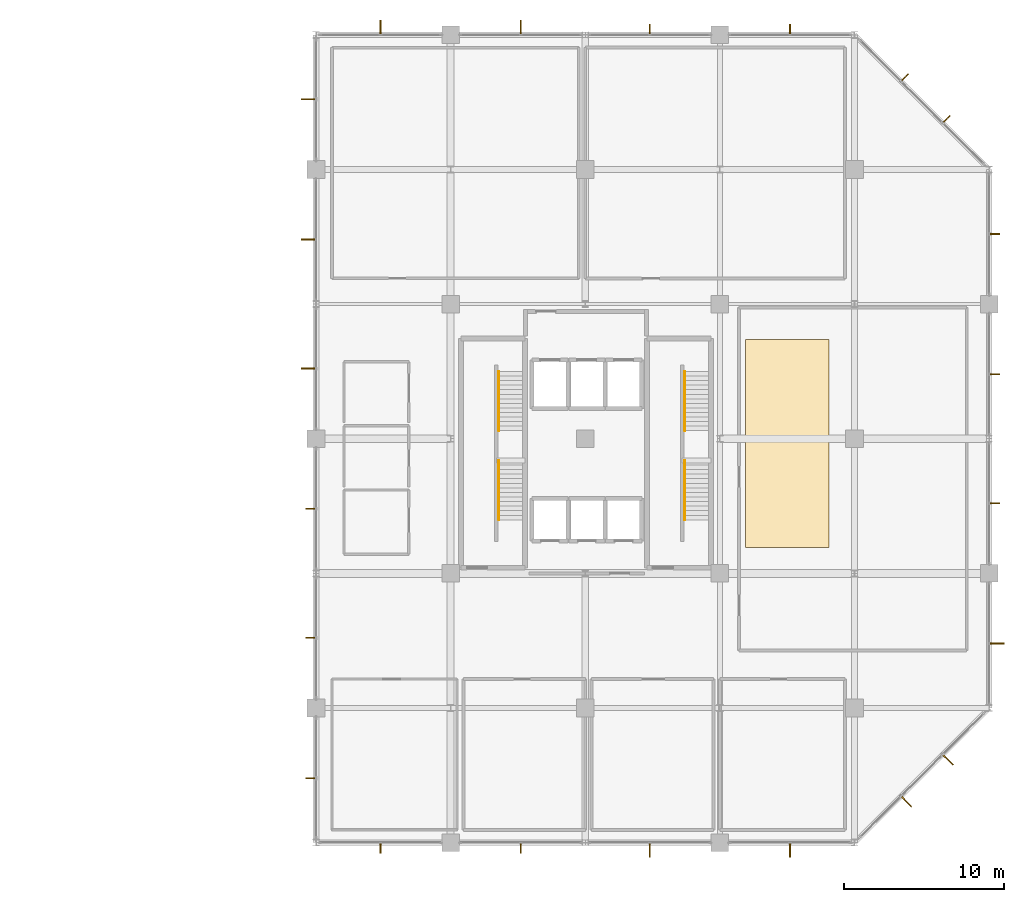
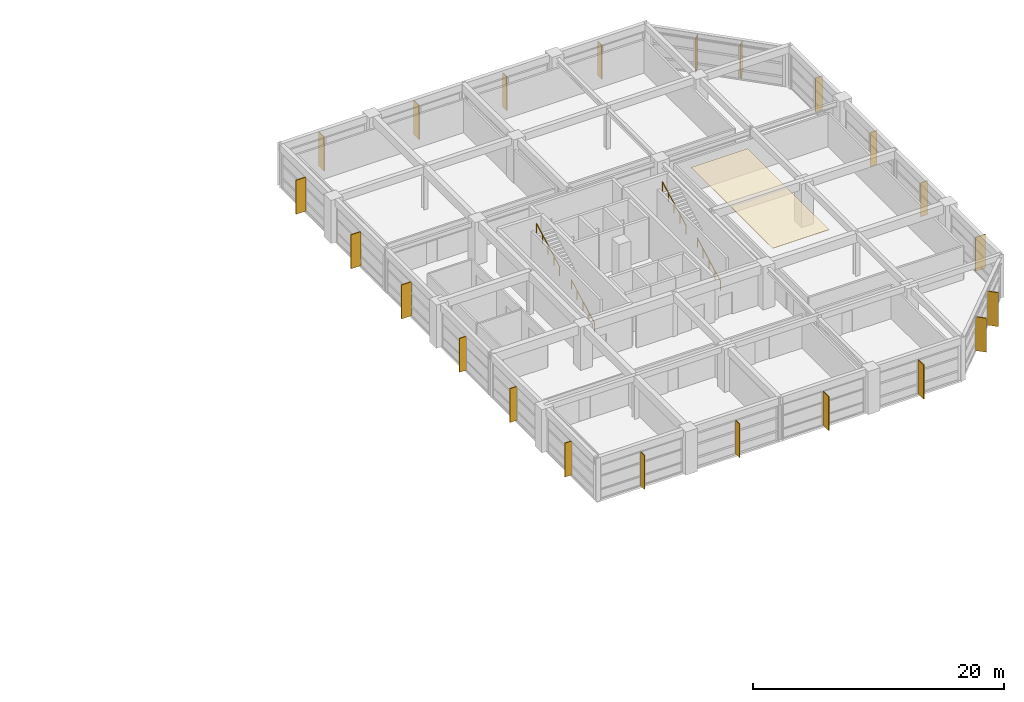
# One storey, part 19 of 19: 22 shading devices, 4 railings, 1 covering.
"""IFC4 building model written with IfcOpenShell, lengths in metres."""

from ifc_helpers import new_model, si_unit, direction, frame, origin, origin_2d, place, context, subcontext, project, spatial, polyline, rectangle, circle, outline, extrude, material, layer, layer_set, type_object, element, save


model = new_model("IFC4")

# Units and contexts
model_context = context("Model", 3, precision=1e-05, world=origin(), true_north=direction((0.0, 1.0)))
body_context = subcontext(model_context, "Body", "Model", "MODEL_VIEW")
ifc_project = project(units=[si_unit("LENGTHUNIT", "METRE"), si_unit("AREAUNIT", "SQUARE_METRE"), si_unit("VOLUMEUNIT", "CUBIC_METRE"), si_unit("PLANEANGLEUNIT", "RADIAN"), si_unit("MASSUNIT", "GRAM", prefix="KILO")], contexts=[model_context])

# Site, building, storey
site_placement = place(None, origin())
site = spatial("IfcSite", under=ifc_project, at=site_placement, CompositionType="ELEMENT")
building_placement = place(site_placement, origin())
building = spatial("IfcBuilding", under=site, at=building_placement, Name="Xuanlan Plaza Opera House", CompositionType="ELEMENT")
storey_placement = place(building_placement, frame((0.0, 0.0, 36.300048828125)))
storey = spatial("IfcBuildingStorey", under=building, at=storey_placement, Name="L08", CompositionType="ELEMENT", Elevation=36.300048828125)

# Shading devices
ifc_material_1 = material(Name="Anodised Aluminium 6063-T6", Category="aluminium")
shading_device_type_1 = type_object("IfcShadingDeviceType", Name="ENV-SHD-BRS01", PredefinedType="JALOUSIE", material=ifc_material_1)
for number, where, z_axis, x_axis, name in (
    (1, (130.02490234375, 33.27490234375, 0.0400390625), (0.0, 0.0, 1.0), (0.0, -1.0, 0.0), "Parametric Sunshade Fin L08-0321"),
    (2, (138.77490234375, 33.27490234375, 0.0400390625), (0.0, 0.0, 1.0), (0.0, -1.0, 0.0), "Parametric Sunshade Fin L08-0322"),
    (3, (168.324951171875, 54.77490234375, 0.0400390625), (0.0, 0.0, 1.0), (1.0, 0.0, 0.0), "Parametric Sunshade Fin L08-0328"),
    (4, (168.324951171875, 62.824951171875, 0.0400390625), (0.0, 0.0, 1.0), (1.0, 0.0, 0.0), "Parametric Sunshade Fin L08-0329"),
    (5, (168.324951171875, 71.574951171875, 0.0400390625), (0.0, 0.0, 1.0), (1.0, 0.0, 0.0), "Parametric Sunshade Fin L08-0330"),
    (6, (165.330078125, 78.7294921875, 0.0400390625), (0.0, 0.0, 1.0), (0.707106781187, 0.707106781187, 0.0), "Parametric Sunshade Fin L08-0331"),
    (7, (162.7294921875, 81.330078125, 0.0400390625), (0.0, 0.0, 1.0), (0.707106781187, 0.707106781187, 0.0), "Parametric Sunshade Fin L08-0332"),
    (8, (155.574951171875, 84.324951171875, 0.0400390625), (0.0, 0.0, 1.0), (0.0, 1.0, 0.0), "Parametric Sunshade Fin L08-0333"),
    (9, (146.824951171875, 84.324951171875, 0.0400390625), (0.0, 0.0, 1.0), (0.0, 1.0, 0.0), "Parametric Sunshade Fin L08-0334"),
    (10, (125.675048828125, 54.425048828125, 0.0400390625), (0.0, 0.0, 1.0), (-1.0, 0.0, 0.0), "Parametric Sunshade Fin L08-0340"),
    (11, (125.675048828125, 46.375, 0.0400390625), (0.0, 0.0, 1.0), (-1.0, 0.0, 0.0), "Parametric Sunshade Fin L08-0341"),
    (12, (125.675048828125, 37.625, 0.0400390625), (0.0, 0.0, 1.0), (-1.0, 0.0, 0.0), "Parametric Sunshade Fin L08-0342"),
):
    element("IfcShadingDevice", number, at=place(storey_placement, frame(where, z_axis=z_axis, x_axis=x_axis)), inside=storey, type_object=shading_device_type_1, Name=name, PredefinedType="JALOUSIE", context=body_context, shape_type="SweptSolid", body=[
        extrude(rectangle(XDim=0.639892578125, YDim=0.070068359375, at=origin_2d()), origin(), (0.0, 0.0, 1.0), 3.300048828125),
    ])
shading_device_type_2 = type_object("IfcShadingDeviceType", Name="ENV-SHD-BRS02", PredefinedType="JALOUSIE", material=ifc_material_1)
for number, where, z_axis, x_axis, name in (
    (13, (146.824951171875, 33.135009765625, 0.0400390625), (0.0, 0.0, 1.0), (0.0, -1.0, 0.0), "Parametric Sunshade Fin L08-0323"),
    (14, (155.574951171875, 33.135009765625, 0.0400390625), (0.0, 0.0, 1.0), (0.0, -1.0, 0.0), "Parametric Sunshade Fin L08-0324"),
    (15, (162.82861328125, 36.1708984375, 0.0400390625), (0.0, 0.0, 1.0), (0.707106781187, -0.707106781187, 0.0), "Parametric Sunshade Fin L08-0325"),
    (16, (165.42919921875, 38.771484375, 0.0400390625), (0.0, 0.0, 1.0), (0.707106781187, -0.707106781187, 0.0), "Parametric Sunshade Fin L08-0326"),
    (17, (168.465087890625, 46.02490234375, 0.0400390625), (0.0, 0.0, 1.0), (1.0, 0.0, 0.0), "Parametric Sunshade Fin L08-0327"),
    (18, (138.77490234375, 84.465087890625, 0.0400390625), (0.0, 0.0, 1.0), (0.0, 1.0, 0.0), "Parametric Sunshade Fin L08-0335"),
    (19, (130.02490234375, 84.465087890625, 0.0400390625), (0.0, 0.0, 1.0), (0.0, 1.0, 0.0), "Parametric Sunshade Fin L08-0336"),
    (20, (125.534912109375, 79.97509765625, 0.0400390625), (0.0, 0.0, 1.0), (-1.0, 0.0, 0.0), "Parametric Sunshade Fin L08-0337"),
    (21, (125.534912109375, 71.22509765625, 0.0400390625), (0.0, 0.0, 1.0), (-1.0, 0.0, 0.0), "Parametric Sunshade Fin L08-0338"),
    (22, (125.534912109375, 63.175048828125, 0.0400390625), (0.0, 0.0, 1.0), (-1.0, 0.0, 0.0), "Parametric Sunshade Fin L08-0339"),
):
    element("IfcShadingDevice", number, at=place(storey_placement, frame(where, z_axis=z_axis, x_axis=x_axis)), inside=storey, type_object=shading_device_type_2, Name=name, PredefinedType="JALOUSIE", context=body_context, shape_type="SweptSolid", body=[
        extrude(rectangle(XDim=0.919921875, YDim=0.080078125, at=origin_2d()), origin(), (0.0, 0.0, 1.0), 3.300048828125),
    ])

# Covering
ifc_layer = layer(ifc_material_1, 0.034912109375)
ifc_layer_set = layer_set([ifc_layer], Name="Anodised Aluminium 6063-T6")
covering_type = type_object("IfcCoveringType", Name="INT-COV-CLG-02", PredefinedType="CEILING", material=ifc_layer_set)
covering_placement = place(storey_placement, frame((0.0, 0.0, 3.925048828125)))
element("IfcCovering", 23, at=covering_placement, inside=storey, type_object=covering_type, Name="Acoustic Baffle Ceiling L08", PredefinedType="CEILING", context=body_context, shape_type="SweptSolid", body=[
    extrude(outline(polyline([(152.800048828125, 52.0), (158.0, 52.0), (158.0, 65.0), (152.800048828125, 65.0), (152.800048828125, 52.0)])), origin(), (0.0, 0.0, 1.0), 0.034912109375),
])

# Railings
ifc_material_2 = material(Name="Stainless Steel S30408", Category="steel")
railing_type = type_object("IfcRailingType", Name="INT-RL-HR01", PredefinedType="HANDRAIL", material=ifc_material_2)
for number, where, name in (
    (24, (137.409912109375, 53.739990234375, 0.14990234375), "Stair Handrail ST-T1 L08 Flight 1"),
    (25, (137.409912109375, 59.294921875, 2.25), "Stair Handrail ST-T1 L08 Flight 2"),
    (26, (149.010009765625, 53.739990234375, 0.14990234375), "Stair Handrail ST-T2 L08 Flight 1"),
    (27, (149.010009765625, 59.294921875, 2.25), "Stair Handrail ST-T2 L08 Flight 2"),
):
    element("IfcRailing", number, at=place(storey_placement, frame(where)), inside=storey, type_object=railing_type, Name=name, PredefinedType="HANDRAIL", context=body_context, shape_type="SweptSolid", body=[
        extrude(circle(Radius=0.02392578125, at=origin_2d()), frame((0.0, 0.0, 0.8759765625), z_axis=(0.0, 0.88492707638, 0.465729609848), x_axis=(-1.0, 0.0, 0.0)), (0.0, 0.0, 1.0), 4.186767578125),
        extrude(circle(Radius=0.02099609375, at=origin_2d()), origin(), (0.0, 0.0, 1.0), 0.851806640625),
        extrude(circle(Radius=0.02099609375, at=origin_2d()), frame((0.0, 0.92626953125, 0.487548828125)), (0.0, 0.0, 1.0), 0.851806640625),
        extrude(circle(Radius=0.02099609375, at=origin_2d()), frame((0.0, 1.8525390625, 0.97509765625)), (0.0, 0.0, 1.0), 0.851806640625),
        extrude(circle(Radius=0.02099609375, at=origin_2d()), frame((0.0, 2.77880859375, 1.46240234375)), (0.0, 0.0, 1.0), 0.851806640625),
        extrude(circle(Radius=0.02099609375, at=origin_2d()), frame((0.0, 3.705078125, 1.949951171875)), (0.0, 0.0, 1.0), 0.851806640625),
    ])

save(model, "model.ifc")
